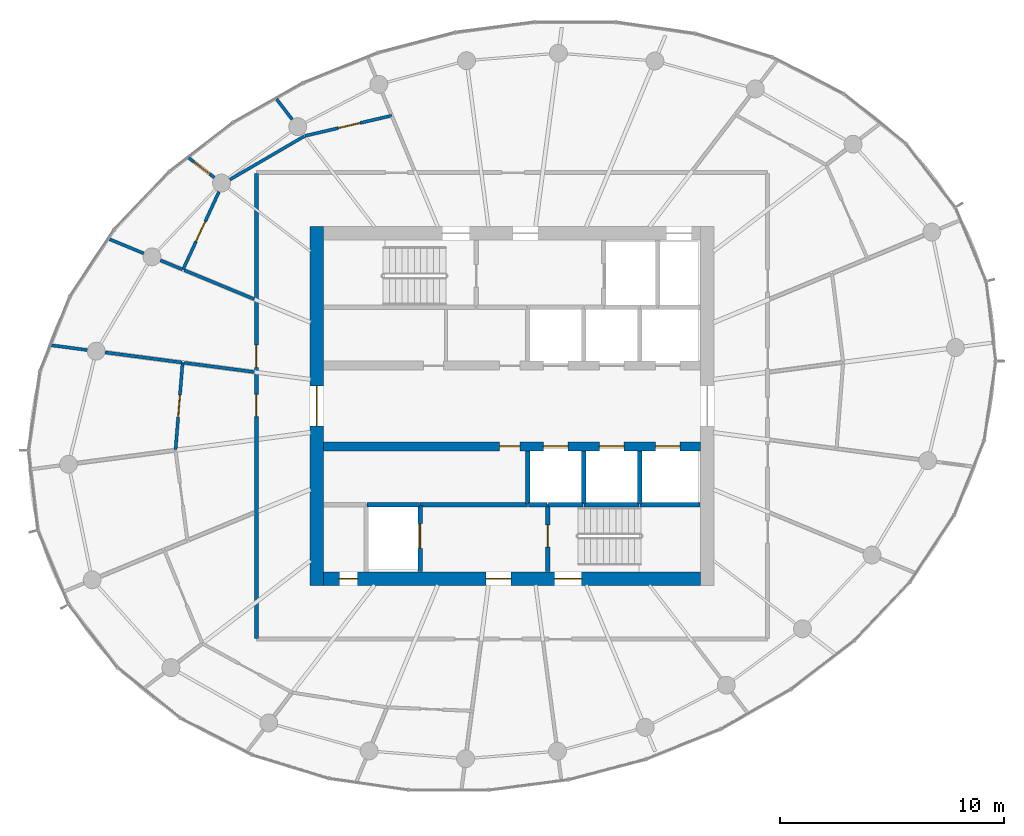
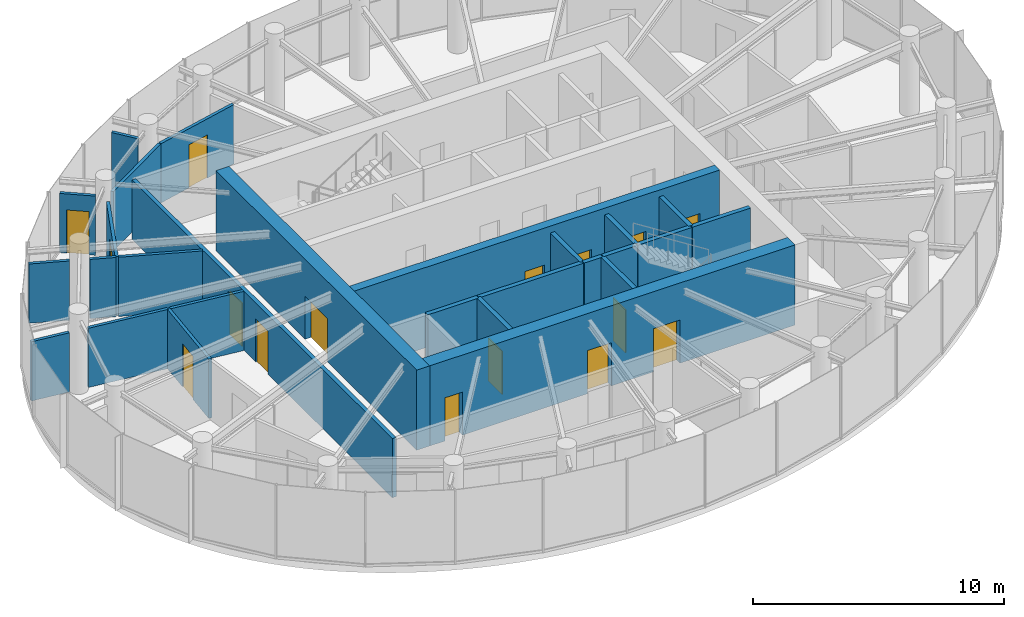
# One storey, part 9 of 13: 27 walls, 16 doors, 16 openings.
"""IFC4 building model written with IfcOpenShell, lengths in metres."""

from ifc_helpers import new_model, si_unit, direction, frame, frame_2d, origin, place, context, subcontext, project, spatial, rectangle, extrude, source, transform, mapped, material, layer, layer_set, type_object, element, fill, save


model = new_model("IFC4")

# Units and contexts
model_context = context("Model", 3, precision=1e-05, world=origin(), true_north=direction((0.0, 1.0)))
body_context = subcontext(model_context, "Body", "Model", "MODEL_VIEW")
ifc_project = project(units=[si_unit("LENGTHUNIT", "METRE"), si_unit("AREAUNIT", "SQUARE_METRE"), si_unit("VOLUMEUNIT", "CUBIC_METRE"), si_unit("PLANEANGLEUNIT", "RADIAN"), si_unit("MASSUNIT", "GRAM", prefix="KILO")], contexts=[model_context])

# Site, building, storey
site_placement = place(None, origin())
site = spatial("IfcSite", under=ifc_project, at=site_placement, CompositionType="ELEMENT")
building_placement = place(site_placement, origin())
building = spatial("IfcBuilding", under=site, at=building_placement, Name="Spindrift Exchange Tower", CompositionType="ELEMENT")
storey_placement = place(building_placement, frame((0.0, 0.0, 257.89990234375)))
storey = spatial("IfcBuildingStorey", under=building, at=storey_placement, Name="L63", CompositionType="ELEMENT", Elevation=257.89990234375)

# Wall, opening, door
ifc_material_1 = material(Name="Concrete 50 MPa", Category="concrete")
ifc_layer_1 = layer(ifc_material_1, 0.60009765625)
ifc_layer_set_1 = layer_set([ifc_layer_1], Name="RC Core Wall 600 Concrete 50 MPa")
wall_type_1 = type_object("IfcWallType", Name="RC Core Wall 600 Concrete 50 MPa", PredefinedType="SHEAR", material=ifc_layer_set_1)
wall_1_placement = place(storey_placement, frame((43.300048828125, 56.0, 0.0), z_axis=(0.0, 0.0, 1.0), x_axis=(0.0, -1.0, 0.0)))
wall_1 = element("IfcWall", 1, at=wall_1_placement, inside=storey, type_object=wall_type_1, Name="Core wall W L63", PredefinedType="SHEAR", context=body_context, shape_type="SweptSolid", body=[
    extrude(rectangle(XDim=16.0, YDim=0.60009765625, at=frame_2d((8.0, 0.0))), origin(), (0.0, 0.0, 1.0), 3.900146484375),
])
opening_1_placement = place(wall_1_placement, frame((7.10009765625, 0.0, 0.0)))
opening_1 = element("IfcOpeningElement", 2, at=opening_1_placement, cuts=wall_1, Name="Opening L63-D1", PredefinedType="OPENING", context=body_context, shape_type="SweptSolid", body=[
    extrude(rectangle(XDim=1.800048828125, YDim=2.10009765625, at=frame_2d((0.89990234375, 1.050048828125))), frame((0.0, 0.31005859375, 0.0), z_axis=(0.0, -1.0, 0.0), x_axis=(1.0, 0.0, 0.0)), (0.0, 0.0, 1.0), 0.6201171875),
])
ifc_material_2 = material(Name="Timber-core fire door", Category="wood")
door_type_1 = type_object("IfcDoorType", Name="DR-LOBBY-1800", OperationType="NOTDEFINED", PredefinedType="DOOR", material=ifc_material_2)
shared_shape_1 = source(origin(), body_context, "Body", "SweptSolid", [
    extrude(rectangle(XDim=1.800048828125, YDim=2.10009765625, at=frame_2d((0.89990234375, 1.050048828125))), frame((0.0, 0.02490234375, 0.0), z_axis=(0.0, -1.0, 0.0), x_axis=(1.0, 0.0, 0.0)), (0.0, 0.0, 1.0), 0.050048828125),
])
door_1_placement = place(opening_1_placement, origin())
door_1 = element("IfcDoor", 3, at=door_1_placement, inside=storey, type_object=door_type_1, Name="L63 Lobby door 1", OperationType="SINGLE_SWING_LEFT", OverallHeight=2.10009765625, OverallWidth=1.800048828125, PredefinedType="DOOR", context=body_context, shape_type="MappedRepresentation", body=[
    mapped(shared_shape_1, transform((0.0, 0.0, 0.0), scale=1.0)),
])
fill(opening_1, door_1)

# Wall, openings, doors
wall_2_placement = place(storey_placement, frame((43.60009765625, 40.300048828125, 0.0), z_axis=(0.0, 0.0, 1.0), x_axis=(1.0, 0.0, 0.0)))
wall_2 = element("IfcWall", 4, at=wall_2_placement, inside=storey, type_object=wall_type_1, Name="Core wall S L63", PredefinedType="SHEAR", context=body_context, shape_type="SweptSolid", body=[
    extrude(rectangle(XDim=16.7998046875, YDim=0.60009765625, at=frame_2d((8.39990234375, 0.0))), origin(), (0.0, 0.0, 1.0), 3.900146484375),
])
opening_2_placement = place(wall_2_placement, frame((10.300048828125, 0.0, 0.0)))
opening_2 = element("IfcOpeningElement", 5, at=opening_2_placement, cuts=wall_2, Name="Opening L63-D15", PredefinedType="OPENING", context=body_context, shape_type="SweptSolid", body=[
    extrude(rectangle(XDim=1.199951171875, YDim=2.10009765625, at=frame_2d((0.60009765625, 1.050048828125))), frame((0.0, 0.31005859375, 0.0), z_axis=(0.0, -1.0, 0.0), x_axis=(1.0, 0.0, 0.0)), (0.0, 0.0, 1.0), 0.6201171875),
])
opening_3_placement = place(wall_2_placement, frame((7.25, 0.0, 0.0)))
opening_3 = element("IfcOpeningElement", 6, at=opening_3_placement, cuts=wall_2, Name="Opening L63-D17", PredefinedType="OPENING", context=body_context, shape_type="SweptSolid", body=[
    extrude(rectangle(XDim=1.10009765625, YDim=2.10009765625, at=frame_2d((0.550048828125, 1.050048828125))), frame((0.0, 0.31005859375, 0.0), z_axis=(0.0, -1.0, 0.0), x_axis=(1.0, 0.0, 0.0)), (0.0, 0.0, 1.0), 0.6201171875),
])
opening_4_placement = place(wall_2_placement, frame((0.699951171875, 0.0, 0.0)))
opening_4 = element("IfcOpeningElement", 7, at=opening_4_placement, cuts=wall_2, Name="Opening L63-D18", PredefinedType="OPENING", context=body_context, shape_type="SweptSolid", body=[
    extrude(rectangle(XDim=0.800048828125, YDim=2.10009765625, at=frame_2d((0.39990234375, 1.050048828125))), frame((0.0, 0.31005859375, 0.0), z_axis=(0.0, -1.0, 0.0), x_axis=(1.0, 0.0, 0.0)), (0.0, 0.0, 1.0), 0.6201171875),
])
ifc_material_3 = material(Name="Steel fire door", Category="steel")
door_type_2 = type_object("IfcDoorType", Name="DR-STAIR-1200", OperationType="NOTDEFINED", PredefinedType="DOOR", material=ifc_material_3)
shared_shape_2 = source(origin(), body_context, "Body", "SweptSolid", [
    extrude(rectangle(XDim=1.199951171875, YDim=2.10009765625, at=frame_2d((0.60009765625, 1.050048828125))), frame((0.0, 0.02490234375, 0.0), z_axis=(0.0, -1.0, 0.0), x_axis=(1.0, 0.0, 0.0)), (0.0, 0.0, 1.0), 0.050048828125),
])
door_2_placement = place(opening_2_placement, origin())
door_2 = element("IfcDoor", 8, at=door_2_placement, inside=storey, type_object=door_type_2, Name="L63 Stair door 15", OperationType="SINGLE_SWING_RIGHT", OverallHeight=2.10009765625, OverallWidth=1.199951171875, PredefinedType="DOOR", context=body_context, shape_type="MappedRepresentation", body=[
    mapped(shared_shape_2, transform((0.0, 0.0, 0.0), scale=1.0)),
])
fill(opening_2, door_2)
door_type_3 = type_object("IfcDoorType", Name="DR-LOBBY-1100", OperationType="NOTDEFINED", PredefinedType="DOOR", material=ifc_material_2)
shared_shape_3 = source(origin(), body_context, "Body", "SweptSolid", [
    extrude(rectangle(XDim=1.10009765625, YDim=2.10009765625, at=frame_2d((0.550048828125, 1.050048828125))), frame((0.0, 0.02490234375, 0.0), z_axis=(0.0, -1.0, 0.0), x_axis=(1.0, 0.0, 0.0)), (0.0, 0.0, 1.0), 0.050048828125),
])
door_3_placement = place(opening_3_placement, origin())
door_3 = element("IfcDoor", 9, at=door_3_placement, inside=storey, type_object=door_type_3, Name="L63 Lobby door 17", OperationType="SINGLE_SWING_RIGHT", OverallHeight=2.10009765625, OverallWidth=1.10009765625, PredefinedType="DOOR", context=body_context, shape_type="MappedRepresentation", body=[
    mapped(shared_shape_3, transform((0.0, 0.0, 0.0), scale=1.0)),
])
fill(opening_3, door_3)
ifc_material_4 = material(Name="Steel access door", Category="steel")
door_type_4 = type_object("IfcDoorType", Name="DR-RISER-800", OperationType="NOTDEFINED", PredefinedType="DOOR", material=ifc_material_4)
shared_shape_4 = source(origin(), body_context, "Body", "SweptSolid", [
    extrude(rectangle(XDim=0.800048828125, YDim=2.10009765625, at=frame_2d((0.39990234375, 1.050048828125))), frame((0.0, 0.02490234375, 0.0), z_axis=(0.0, -1.0, 0.0), x_axis=(1.0, 0.0, 0.0)), (0.0, 0.0, 1.0), 0.050048828125),
])
door_4_placement = place(opening_4_placement, origin())
door_4 = element("IfcDoor", 10, at=door_4_placement, inside=storey, type_object=door_type_4, Name="L63 Riser door 18", OperationType="SINGLE_SWING_LEFT", OverallHeight=2.10009765625, OverallWidth=0.800048828125, PredefinedType="DOOR", context=body_context, shape_type="MappedRepresentation", body=[
    mapped(shared_shape_4, transform((0.0, 0.0, 0.0), scale=1.0)),
])
fill(opening_4, door_4)

ifc_layer_2 = layer(ifc_material_1, 0.39990234375)
ifc_layer_set_2 = layer_set([ifc_layer_2], Name="RC Spine Wall 400 Concrete 50 MPa")
wall_type_2 = type_object("IfcWallType", Name="RC Spine Wall 400 Concrete 50 MPa", PredefinedType="SHEAR", material=ifc_layer_set_2)
wall_3_placement = place(storey_placement, frame((43.60009765625, 46.199951171875, 0.0), z_axis=(0.0, 0.0, 1.0), x_axis=(1.0, 0.0, 0.0)))
wall_3 = element("IfcWall", 11, at=wall_3_placement, inside=storey, type_object=wall_type_2, Name="Core spine wall S L63", PredefinedType="SHEAR", context=body_context, shape_type="SweptSolid", body=[
    extrude(rectangle(XDim=16.7998046875, YDim=0.39990234375, at=frame_2d((8.39990234375, 0.0))), origin(), (0.0, 0.0, 1.0), 3.900146484375),
])
opening_5_placement = place(wall_3_placement, frame((9.800048828125, 0.0, 0.0)))
opening_5 = element("IfcOpeningElement", 12, at=opening_5_placement, cuts=wall_3, Name="Opening L63-D6", PredefinedType="OPENING", context=body_context, shape_type="SweptSolid", body=[
    extrude(rectangle(XDim=1.10009765625, YDim=2.10009765625, at=frame_2d((0.550048828125, 1.050048828125))), frame((0.0, 0.2099609375, 0.0), z_axis=(0.0, -1.0, 0.0), x_axis=(1.0, 0.0, 0.0)), (0.0, 0.0, 1.0), 0.419921875),
])
opening_6_placement = place(wall_3_placement, frame((12.300048828125, 0.0, 0.0)))
opening_6 = element("IfcOpeningElement", 13, at=opening_6_placement, cuts=wall_3, Name="Opening L63-D7", PredefinedType="OPENING", context=body_context, shape_type="SweptSolid", body=[
    extrude(rectangle(XDim=1.10009765625, YDim=2.10009765625, at=frame_2d((0.550048828125, 1.050048828125))), frame((0.0, 0.2099609375, 0.0), z_axis=(0.0, -1.0, 0.0), x_axis=(1.0, 0.0, 0.0)), (0.0, 0.0, 1.0), 0.419921875),
])
opening_7_placement = place(wall_3_placement, frame((14.800048828125, 0.0, 0.0)))
opening_7 = element("IfcOpeningElement", 14, at=opening_7_placement, cuts=wall_3, Name="Opening L63-D8", PredefinedType="OPENING", context=body_context, shape_type="SweptSolid", body=[
    extrude(rectangle(XDim=1.10009765625, YDim=2.10009765625, at=frame_2d((0.550048828125, 1.050048828125))), frame((0.0, 0.2099609375, 0.0), z_axis=(0.0, -1.0, 0.0), x_axis=(1.0, 0.0, 0.0)), (0.0, 0.0, 1.0), 0.419921875),
])
opening_8_placement = place(wall_3_placement, frame((7.85009765625, 0.0, 0.0)))
opening_8 = element("IfcOpeningElement", 15, at=opening_8_placement, cuts=wall_3, Name="Opening L63-D45", PredefinedType="OPENING", context=body_context, shape_type="SweptSolid", body=[
    extrude(rectangle(XDim=0.89990234375, YDim=2.10009765625, at=frame_2d((0.449951171875, 1.050048828125))), frame((0.0, 0.2099609375, 0.0), z_axis=(0.0, -1.0, 0.0), x_axis=(1.0, 0.0, 0.0)), (0.0, 0.0, 1.0), 0.419921875),
])
ifc_material_5 = material(Name="Stainless steel landing door", Category="steel")
door_type_5 = type_object("IfcDoorType", Name="DR-LANDING-1100-SL", OperationType="DOUBLE_DOOR_SLIDING", PredefinedType="USERDEFINED", material=ifc_material_5)
shared_shape_5 = source(origin(), body_context, "Body", "SweptSolid", [
    extrude(rectangle(XDim=1.10009765625, YDim=2.10009765625, at=frame_2d((0.550048828125, 1.050048828125))), frame((0.0, 0.02490234375, 0.0), z_axis=(0.0, -1.0, 0.0), x_axis=(1.0, 0.0, 0.0)), (0.0, 0.0, 1.0), 0.050048828125),
])
door_5_placement = place(opening_5_placement, origin())
door_5 = element("IfcDoor", 16, at=door_5_placement, inside=storey, type_object=door_type_5, Name="L63 Lift landing door 6", ObjectType="LANDING DOOR", OperationType="DOUBLE_DOOR_SLIDING", OverallHeight=2.10009765625, OverallWidth=1.10009765625, PredefinedType="USERDEFINED", context=body_context, shape_type="MappedRepresentation", body=[
    mapped(shared_shape_5, transform((0.0, 0.0, 0.0), scale=1.0)),
])
fill(opening_5, door_5)
door_6_placement = place(opening_6_placement, origin())
door_6 = element("IfcDoor", 17, at=door_6_placement, inside=storey, type_object=door_type_5, Name="L63 Lift landing door 7", ObjectType="LANDING DOOR", OperationType="DOUBLE_DOOR_SLIDING", OverallHeight=2.10009765625, OverallWidth=1.10009765625, PredefinedType="USERDEFINED", context=body_context, shape_type="MappedRepresentation", body=[
    mapped(shared_shape_5, transform((0.0, 0.0, 0.0), scale=1.0)),
])
fill(opening_6, door_6)
door_7_placement = place(opening_7_placement, origin())
door_7 = element("IfcDoor", 18, at=door_7_placement, inside=storey, type_object=door_type_5, Name="L63 Lift landing door 8", ObjectType="LANDING DOOR", OperationType="DOUBLE_DOOR_SLIDING", OverallHeight=2.10009765625, OverallWidth=1.10009765625, PredefinedType="USERDEFINED", context=body_context, shape_type="MappedRepresentation", body=[
    mapped(shared_shape_5, transform((0.0, 0.0, 0.0), scale=1.0)),
])
fill(opening_7, door_7)
door_type_6 = type_object("IfcDoorType", Name="DR-RISER-900", OperationType="NOTDEFINED", PredefinedType="DOOR", material=ifc_material_4)
shared_shape_6 = source(origin(), body_context, "Body", "SweptSolid", [
    extrude(rectangle(XDim=0.89990234375, YDim=2.10009765625, at=frame_2d((0.449951171875, 1.050048828125))), frame((0.0, 0.02490234375, 0.0), z_axis=(0.0, -1.0, 0.0), x_axis=(1.0, 0.0, 0.0)), (0.0, 0.0, 1.0), 0.050048828125),
])
door_8_placement = place(opening_8_placement, origin())
door_8 = element("IfcDoor", 19, at=door_8_placement, inside=storey, type_object=door_type_6, Name="L63 Riser door 45", OperationType="SINGLE_SWING_RIGHT", OverallHeight=2.10009765625, OverallWidth=0.89990234375, PredefinedType="DOOR", context=body_context, shape_type="MappedRepresentation", body=[
    mapped(shared_shape_6, transform((0.0, 0.0, 0.0), scale=1.0)),
])
fill(opening_8, door_8)

ifc_material_6 = material(Name="Fire-rated plasterboard partition", Category="gypsum")
ifc_layer_3 = layer(ifc_material_6, 0.179931640625)
ifc_layer_set_3 = layer_set([ifc_layer_3], Name="W-CORR-180")
wall_type_3 = type_object("IfcWallType", Name="W-CORR-180", PredefinedType="PARTITIONING", material=ifc_layer_set_3)
wall_4_placement = place(storey_placement, frame((40.60009765625, 37.6298828125, 0.0), z_axis=(0.0, 0.0, 1.0), x_axis=(0.0, 1.0, 0.0)))
wall_4 = element("IfcWall", 20, at=wall_4_placement, inside=storey, type_object=wall_type_3, Name="L63 Partition wall 30", PredefinedType="PARTITIONING", context=body_context, shape_type="SweptSolid", body=[
    extrude(rectangle(XDim=20.740234375, YDim=0.179931640625, at=frame_2d((10.3701171875, 0.0))), origin(), (0.0, 0.0, 1.0), 2.880126953125),
])
opening_9_placement = place(wall_4_placement, frame((12.090087890625, 0.0, 0.0)))
opening_9 = element("IfcOpeningElement", 21, at=opening_9_placement, cuts=wall_4, Name="Opening L63-D30", PredefinedType="OPENING", context=body_context, shape_type="SweptSolid", body=[
    extrude(rectangle(XDim=1.0, YDim=2.10009765625, at=frame_2d((0.5, 1.050048828125))), frame((0.0, 0.099853515625, 0.0), z_axis=(0.0, -1.0, 0.0), x_axis=(1.0, 0.0, 0.0)), (0.0, 0.0, 1.0), 0.199951171875),
])
opening_10_placement = place(wall_4_placement, frame((9.889892578125, 0.0, 0.0)))
opening_10 = element("IfcOpeningElement", 22, at=opening_10_placement, cuts=wall_4, Name="Opening L63-D31", PredefinedType="OPENING", context=body_context, shape_type="SweptSolid", body=[
    extrude(rectangle(XDim=1.0, YDim=2.10009765625, at=frame_2d((0.5, 1.050048828125))), frame((0.0, 0.099853515625, 0.0), z_axis=(0.0, -1.0, 0.0), x_axis=(1.0, 0.0, 0.0)), (0.0, 0.0, 1.0), 0.199951171875),
])
door_type_7 = type_object("IfcDoorType", Name="DR-ROOM-1000", OperationType="NOTDEFINED", PredefinedType="DOOR", material=ifc_material_2)
shared_shape_7 = source(origin(), body_context, "Body", "SweptSolid", [
    extrude(rectangle(XDim=1.0, YDim=2.10009765625, at=frame_2d((0.5, 1.050048828125))), frame((0.0, 0.02490234375, 0.0), z_axis=(0.0, -1.0, 0.0), x_axis=(1.0, 0.0, 0.0)), (0.0, 0.0, 1.0), 0.050048828125),
])
door_9_placement = place(opening_9_placement, origin())
door_9 = element("IfcDoor", 23, at=door_9_placement, inside=storey, type_object=door_type_7, Name="L63 Door 30", OperationType="SINGLE_SWING_LEFT", OverallHeight=2.10009765625, OverallWidth=1.0, PredefinedType="DOOR", context=body_context, shape_type="MappedRepresentation", body=[
    mapped(shared_shape_7, transform((0.0, 0.0, 0.0), scale=1.0)),
])
fill(opening_9, door_9)
door_10_placement = place(opening_10_placement, origin())
door_10 = element("IfcDoor", 24, at=door_10_placement, inside=storey, type_object=door_type_7, Name="L63 Door 31", OperationType="SINGLE_SWING_RIGHT", OverallHeight=2.10009765625, OverallWidth=1.0, PredefinedType="DOOR", context=body_context, shape_type="MappedRepresentation", body=[
    mapped(shared_shape_7, transform((0.0, 0.0, 0.0), scale=1.0)),
])
fill(opening_10, door_10)

# Wall, opening, door
ifc_layer_4 = layer(ifc_material_6, 0.139892578125)
ifc_layer_set_4 = layer_set([ifc_layer_4], Name="W-PART-140")
wall_type_4 = type_object("IfcWallType", Name="W-PART-140", PredefinedType="PARTITIONING", material=ifc_layer_set_4)
wall_5_placement = place(storey_placement, frame((42.760986328125, 60.040283203125, 0.0), z_axis=(0.0, 0.0, 1.0), x_axis=(0.973788258545, 0.227456429935, 0.0)))
wall_5 = element("IfcWall", 25, at=wall_5_placement, inside=storey, type_object=wall_type_4, Name="L63 Partition wall 41", PredefinedType="PARTITIONING", context=body_context, shape_type="SweptSolid", body=[
    extrude(rectangle(XDim=3.98095703125, YDim=0.139892578125, at=frame_2d((1.990478515625, 0.0))), origin(), (0.0, 0.0, 1.0), 2.880126953125),
])
opening_11_placement = place(wall_5_placement, frame((1.531005859375, 0.0, 0.0)))
opening_11 = element("IfcOpeningElement", 26, at=opening_11_placement, cuts=wall_5, Name="Opening L63-D27", PredefinedType="OPENING", context=body_context, shape_type="SweptSolid", body=[
    extrude(rectangle(XDim=1.0, YDim=2.10009765625, at=frame_2d((0.5, 1.050048828125))), frame((0.0, 0.079833984375, 0.0), z_axis=(0.0, -1.0, 0.0), x_axis=(1.0, 0.0, 0.0)), (0.0, 0.0, 1.0), 0.159912109375),
])
door_11_placement = place(opening_11_placement, origin())
door_11 = element("IfcDoor", 27, at=door_11_placement, inside=storey, type_object=door_type_7, Name="L63 Door 27", OperationType="SINGLE_SWING_RIGHT", OverallHeight=2.10009765625, OverallWidth=1.0, PredefinedType="DOOR", context=body_context, shape_type="MappedRepresentation", body=[
    mapped(shared_shape_7, transform((0.0, 0.0, 0.0), scale=1.0)),
])
fill(opening_11, door_11)

wall_6_placement = place(storey_placement, frame((36.998291015625, 46.054443359375, 0.0), z_axis=(0.0, 0.0, 1.0), x_axis=(0.080480689969, 0.996756168048, 0.0)))
wall_6 = element("IfcWall", 28, at=wall_6_placement, inside=storey, type_object=wall_type_4, Name="L63 Partition wall 42", PredefinedType="PARTITIONING", context=body_context, shape_type="SweptSolid", body=[
    extrude(rectangle(XDim=3.89208984375, YDim=0.139892578125, at=frame_2d((1.946044921875, 0.0))), origin(), (0.0, 0.0, 1.0), 2.880126953125),
])
opening_12_placement = place(wall_6_placement, frame((1.44189453125, 0.0, 0.0)))
opening_12 = element("IfcOpeningElement", 29, at=opening_12_placement, cuts=wall_6, Name="Opening L63-D32", PredefinedType="OPENING", context=body_context, shape_type="SweptSolid", body=[
    extrude(rectangle(XDim=1.0, YDim=2.10009765625, at=frame_2d((0.5, 1.050048828125))), frame((0.0, 0.079833984375, 0.0), z_axis=(0.0, -1.0, 0.0), x_axis=(1.0, 0.0, 0.0)), (0.0, 0.0, 1.0), 0.159912109375),
])
door_12_placement = place(opening_12_placement, origin())
door_12 = element("IfcDoor", 30, at=door_12_placement, inside=storey, type_object=door_type_7, Name="L63 Door 32", OperationType="SINGLE_SWING_LEFT", OverallHeight=2.10009765625, OverallWidth=1.0, PredefinedType="DOOR", context=body_context, shape_type="MappedRepresentation", body=[
    mapped(shared_shape_7, transform((0.0, 0.0, 0.0), scale=1.0)),
])
fill(opening_12, door_12)

# Wall
wall_7_placement = place(storey_placement, frame((42.735107421875, 60.025390625, 0.0), z_axis=(0.0, 0.0, 1.0), x_axis=(-0.863735038192, -0.503946211216, 0.0)))
element("IfcWall", 31, at=wall_7_placement, inside=storey, type_object=wall_type_4, Name="L63 Partition wall 43", PredefinedType="PARTITIONING", context=body_context, shape_type="SweptSolid", body=[
    extrude(rectangle(XDim=3.8359375, YDim=0.139892578125, at=frame_2d((1.91796875, 0.0))), origin(), (0.0, 0.0, 1.0), 2.880126953125),
])

# Wall, opening, door
wall_8_placement = place(storey_placement, frame((37.32861328125, 54.076904296875, 0.0), z_axis=(0.0, 0.0, 1.0), x_axis=(0.41938588657, 0.907808062393, 0.0)))
wall_8 = element("IfcWall", 32, at=wall_8_placement, inside=storey, type_object=wall_type_4, Name="L63 Partition wall 45", PredefinedType="PARTITIONING", context=body_context, shape_type="SweptSolid", body=[
    extrude(rectangle(XDim=3.826416015625, YDim=0.139892578125, at=frame_2d((1.9130859375, 0.0))), origin(), (0.0, 0.0, 1.0), 2.880126953125),
])
opening_13_placement = place(wall_8_placement, frame((1.376220703125, 0.0, 0.0)))
opening_13 = element("IfcOpeningElement", 33, at=opening_13_placement, cuts=wall_8, Name="Opening L63-D29", PredefinedType="OPENING", context=body_context, shape_type="SweptSolid", body=[
    extrude(rectangle(XDim=1.0, YDim=2.10009765625, at=frame_2d((0.5, 1.050048828125))), frame((0.0, 0.079833984375, 0.0), z_axis=(0.0, -1.0, 0.0), x_axis=(1.0, 0.0, 0.0)), (0.0, 0.0, 1.0), 0.159912109375),
])
door_13_placement = place(opening_13_placement, origin())
door_13 = element("IfcDoor", 34, at=door_13_placement, inside=storey, type_object=door_type_7, Name="L63 Door 29", OperationType="SINGLE_SWING_RIGHT", OverallHeight=2.10009765625, OverallWidth=1.0, PredefinedType="DOOR", context=body_context, shape_type="MappedRepresentation", body=[
    mapped(shared_shape_7, transform((0.0, 0.0, 0.0), scale=1.0)),
])
fill(opening_13, door_13)

# Walls
wall_9_placement = place(storey_placement, frame((40.510009765625, 52.75927734375, 0.0), z_axis=(0.0, 0.0, 1.0), x_axis=(-0.923865103175, 0.382718266008, 0.0)))
element("IfcWall", 35, at=wall_9_placement, inside=storey, type_object=wall_type_4, Name="L63 Partition wall 48", PredefinedType="PARTITIONING", context=body_context, shape_type="SweptSolid", body=[
    extrude(rectangle(XDim=3.373291015625, YDim=0.139892578125, at=frame_2d((1.6865234375, 0.0))), origin(), (0.0, 0.0, 1.0), 2.880126953125),
])
wall_10_placement = place(storey_placement, frame((37.28173828125, 49.937744140625, 0.0), z_axis=(0.0, 0.0, 1.0), x_axis=(-0.991450200573, 0.130485630566, 0.0)))
element("IfcWall", 36, at=wall_10_placement, inside=storey, type_object=wall_type_4, Name="L63 Partition wall 49", PredefinedType="PARTITIONING", context=body_context, shape_type="SweptSolid", body=[
    extrude(rectangle(XDim=3.4501953125, YDim=0.139892578125, at=frame_2d((1.72509765625, 0.0))), origin(), (0.0, 0.0, 1.0), 2.880126953125),
])
wall_11_placement = place(storey_placement, frame((40.510009765625, 49.5126953125, 0.0), z_axis=(0.0, 0.0, 1.0), x_axis=(-0.991447448148, 0.130506542215, 0.0)))
element("IfcWall", 37, at=wall_11_placement, inside=storey, type_object=wall_type_4, Name="L63 Partition wall 51", PredefinedType="PARTITIONING", context=body_context, shape_type="SweptSolid", body=[
    extrude(rectangle(XDim=3.156005859375, YDim=0.139892578125, at=frame_2d((1.578125, 0.0))), origin(), (0.0, 0.0, 1.0), 2.880126953125),
])
wall_12_placement = place(storey_placement, frame((35.57421875, 54.8037109375, 0.0), z_axis=(0.0, 0.0, 1.0), x_axis=(-0.923884509339, 0.38267141702, 0.0)))
element("IfcWall", 38, at=wall_12_placement, inside=storey, type_object=wall_type_4, Name="L63 Partition wall 64", PredefinedType="PARTITIONING", context=body_context, shape_type="SweptSolid", body=[
    extrude(rectangle(XDim=1.6416015625, YDim=0.139892578125, at=frame_2d((0.82080078125, 0.0))), origin(), (0.0, 0.0, 1.0), 2.880126953125),
])
wall_13_placement = place(storey_placement, frame((33.058837890625, 50.49365234375, 0.0), z_axis=(0.0, 0.0, 1.0), x_axis=(-0.991450239083, 0.130485337956, 0.0)))
element("IfcWall", 39, at=wall_13_placement, inside=storey, type_object=wall_type_4, Name="L63 Partition wall 66", PredefinedType="PARTITIONING", context=body_context, shape_type="SweptSolid", body=[
    extrude(rectangle(XDim=1.638916015625, YDim=0.139892578125, at=frame_2d((0.8193359375, 0.0))), origin(), (0.0, 0.0, 1.0), 2.880126953125),
])

# Wall, opening, door
wall_14_placement = place(storey_placement, frame((37.591064453125, 59.056396484375, 0.0), z_axis=(0.0, 0.0, 1.0), x_axis=(0.793378326769, -0.608728864613, 0.0)))
wall_14 = element("IfcWall", 40, at=wall_14_placement, inside=storey, type_object=wall_type_4, Name="L63 Partition wall 68", PredefinedType="PARTITIONING", context=body_context, shape_type="SweptSolid", body=[
    extrude(rectangle(XDim=1.4306640625, YDim=0.139892578125, at=frame_2d((0.71533203125, 0.0))), origin(), (0.0, 0.0, 1.0), 2.880126953125),
])
opening_14_placement = place(wall_14_placement, frame((0.280517578125, 0.0, 0.0)))
opening_14 = element("IfcOpeningElement", 41, at=opening_14_placement, cuts=wall_14, Name="Opening L63-D28", PredefinedType="OPENING", context=body_context, shape_type="SweptSolid", body=[
    extrude(rectangle(XDim=0.89990234375, YDim=2.10009765625, at=frame_2d((0.449951171875, 1.050048828125))), frame((0.0, 0.079833984375, 0.0), z_axis=(0.0, -1.0, 0.0), x_axis=(1.0, 0.0, 0.0)), (0.0, 0.0, 1.0), 0.159912109375),
])
door_type_8 = type_object("IfcDoorType", Name="DR-ROOM-900", OperationType="NOTDEFINED", PredefinedType="DOOR", material=ifc_material_2)
shared_shape_8 = source(origin(), body_context, "Body", "SweptSolid", [
    extrude(rectangle(XDim=0.89990234375, YDim=2.10009765625, at=frame_2d((0.449951171875, 1.050048828125))), frame((0.0, 0.02490234375, 0.0), z_axis=(0.0, -1.0, 0.0), x_axis=(1.0, 0.0, 0.0)), (0.0, 0.0, 1.0), 0.050048828125),
])
door_14_placement = place(opening_14_placement, origin())
door_14 = element("IfcDoor", 42, at=door_14_placement, inside=storey, type_object=door_type_8, Name="L63 Door 28", OperationType="SINGLE_SWING_LEFT", OverallHeight=2.10009765625, OverallWidth=0.89990234375, PredefinedType="DOOR", context=body_context, shape_type="MappedRepresentation", body=[
    mapped(shared_shape_8, transform((0.0, 0.0, 0.0), scale=1.0)),
])
fill(opening_14, door_14)

# Walls
wall_15_placement = place(storey_placement, frame((42.197998046875, 60.774169921875, 0.0), z_axis=(0.0, 0.0, 1.0), x_axis=(-0.608781268648, 0.793338116406, 0.0)))
element("IfcWall", 43, at=wall_15_placement, inside=storey, type_object=wall_type_4, Name="L63 Partition wall 73", PredefinedType="PARTITIONING", context=body_context, shape_type="SweptSolid", body=[
    extrude(rectangle(XDim=1.142822265625, YDim=0.139892578125, at=frame_2d((0.5712890625, 0.0))), origin(), (0.0, 0.0, 1.0), 2.880126953125),
])
wall_16_placement = place(storey_placement, frame((37.301025390625, 54.08837890625, 0.0), z_axis=(0.0, 0.0, 1.0), x_axis=(-0.923777919461, 0.382928655908, 0.0)))
element("IfcWall", 44, at=wall_16_placement, inside=storey, type_object=wall_type_4, Name="L63 Partition wall 81", PredefinedType="PARTITIONING", context=body_context, shape_type="SweptSolid", body=[
    extrude(rectangle(XDim=1.05908203125, YDim=0.139892578125, at=frame_2d((0.529541015625, 0.0))), origin(), (0.0, 0.0, 1.0), 2.880126953125),
])
ifc_material_7 = material(Name="Concrete 40 MPa", Category="concrete")
ifc_layer_5 = layer(ifc_material_7, 0.199951171875)
ifc_layer_set_5 = layer_set([ifc_layer_5], Name="W-SHAFT-200")
wall_type_5 = type_object("IfcWallType", Name="W-SHAFT-200", PredefinedType="SOLIDWALL", material=ifc_layer_set_5)
wall_17_placement = place(storey_placement, frame((52.699951171875, 43.60009765625, 0.0), z_axis=(0.0, 0.0, 1.0), x_axis=(-1.0, 0.0, 0.0)))
element("IfcWall", 45, at=wall_17_placement, inside=storey, type_object=wall_type_5, Name="L63 Shaft wall 2", PredefinedType="SOLIDWALL", context=body_context, shape_type="SweptSolid", body=[
    extrude(rectangle(XDim=4.800048828125, YDim=0.199951171875, at=frame_2d((2.39990234375, 0.0))), origin(), (0.0, 0.0, 1.0), 3.580078125),
])

# Wall, opening, door
wall_18_placement = place(storey_placement, frame((47.89990234375, 40.6201171875, 0.0), z_axis=(0.0, 0.0, 1.0), x_axis=(0.0, 1.0, 0.0)))
wall_18 = element("IfcWall", 46, at=wall_18_placement, inside=storey, type_object=wall_type_5, Name="L63 Shaft wall 4", PredefinedType="SOLIDWALL", context=body_context, shape_type="SweptSolid", body=[
    extrude(rectangle(XDim=2.949951171875, YDim=0.199951171875, at=frame_2d((1.47509765625, 0.0))), origin(), (0.0, 0.0, 1.0), 3.580078125),
])
opening_15_placement = place(wall_18_placement, frame((1.030029296875, 0.0, 0.0)))
opening_15 = element("IfcOpeningElement", 47, at=opening_15_placement, cuts=wall_18, Name="Opening L63-D10", PredefinedType="OPENING", context=body_context, shape_type="SweptSolid", body=[
    extrude(rectangle(XDim=1.10009765625, YDim=2.10009765625, at=frame_2d((0.550048828125, 1.050048828125))), frame((0.0, 0.10986328125, 0.0), z_axis=(0.0, -1.0, 0.0), x_axis=(1.0, 0.0, 0.0)), (0.0, 0.0, 1.0), 0.219970703125),
])
door_15_placement = place(opening_15_placement, origin())
door_15 = element("IfcDoor", 48, at=door_15_placement, inside=storey, type_object=door_type_5, Name="L63 Lift landing door 10", ObjectType="LANDING DOOR", OperationType="DOUBLE_DOOR_SLIDING", OverallHeight=2.10009765625, OverallWidth=1.10009765625, PredefinedType="USERDEFINED", context=body_context, shape_type="MappedRepresentation", body=[
    mapped(shared_shape_5, transform((0.0, 0.0, 0.0), scale=1.0)),
])
fill(opening_15, door_15)

# Walls
wall_19_placement = place(storey_placement, frame((47.8701171875, 43.60009765625, 0.0), z_axis=(0.0, 0.0, 1.0), x_axis=(-1.0, 0.0, 0.0)))
element("IfcWall", 49, at=wall_19_placement, inside=storey, type_object=wall_type_5, Name="L63 Shaft wall 12", PredefinedType="SOLIDWALL", context=body_context, shape_type="SweptSolid", body=[
    extrude(rectangle(XDim=2.340087890625, YDim=0.199951171875, at=frame_2d((1.169921875, 0.0))), origin(), (0.0, 0.0, 1.0), 3.580078125),
])
wall_20_placement = place(storey_placement, frame((52.699951171875, 45.989990234375, 0.0), z_axis=(0.0, 0.0, 1.0), x_axis=(0.0, -1.0, 0.0)))
element("IfcWall", 50, at=wall_20_placement, inside=storey, type_object=wall_type_5, Name="L63 Shaft wall 13", PredefinedType="SOLIDWALL", context=body_context, shape_type="SweptSolid", body=[
    extrude(rectangle(XDim=2.360107421875, YDim=0.199951171875, at=frame_2d((1.18017578125, 0.0))), origin(), (0.0, 0.0, 1.0), 3.580078125),
])

# Wall, opening, door
ifc_layer_6 = layer(ifc_material_7, 0.199951171875)
ifc_layer_set_6 = layer_set([ifc_layer_6], Name="W-SHAFT-200-LB")
wall_type_6 = type_object("IfcWallType", Name="W-SHAFT-200-LB", PredefinedType="SOLIDWALL", material=ifc_layer_set_6)
wall_21_placement = place(storey_placement, frame((53.60009765625, 43.60009765625, 0.0), z_axis=(0.0, 0.0, 1.0), x_axis=(0.0, -1.0, 0.0)))
wall_21 = element("IfcWall", 51, at=wall_21_placement, inside=storey, type_object=wall_type_6, Name="L63 Shaft wall 6", PredefinedType="SOLIDWALL", context=body_context, shape_type="SweptSolid", body=[
    extrude(rectangle(XDim=2.97998046875, YDim=0.199951171875, at=frame_2d((1.489990234375, 0.0))), origin(), (0.0, 0.0, 1.0), 3.580078125),
])
opening_16_placement = place(wall_21_placement, frame((0.89990234375, 0.0, 0.0)))
opening_16 = element("IfcOpeningElement", 52, at=opening_16_placement, cuts=wall_21, Name="Opening L63-D16", PredefinedType="OPENING", context=body_context, shape_type="SweptSolid", body=[
    extrude(rectangle(XDim=1.0, YDim=2.10009765625, at=frame_2d((0.5, 1.050048828125))), frame((0.0, 0.10986328125, 0.0), z_axis=(0.0, -1.0, 0.0), x_axis=(1.0, 0.0, 0.0)), (0.0, 0.0, 1.0), 0.219970703125),
])
door_type_9 = type_object("IfcDoorType", Name="DR-STAIR-1000", OperationType="NOTDEFINED", PredefinedType="DOOR", material=ifc_material_3)
shared_shape_9 = source(origin(), body_context, "Body", "SweptSolid", [
    extrude(rectangle(XDim=1.0, YDim=2.10009765625, at=frame_2d((0.5, 1.050048828125))), frame((0.0, 0.02490234375, 0.0), z_axis=(0.0, -1.0, 0.0), x_axis=(1.0, 0.0, 0.0)), (0.0, 0.0, 1.0), 0.050048828125),
])
door_16_placement = place(opening_16_placement, origin())
door_16 = element("IfcDoor", 53, at=door_16_placement, inside=storey, type_object=door_type_9, Name="L63 Stair door 16", OperationType="SINGLE_SWING_LEFT", OverallHeight=2.10009765625, OverallWidth=1.0, PredefinedType="DOOR", context=body_context, shape_type="MappedRepresentation", body=[
    mapped(shared_shape_9, transform((0.0, 0.0, 0.0), scale=1.0)),
])
fill(opening_16, door_16)

# Walls
wall_22_placement = place(storey_placement, frame((57.699951171875, 43.60009765625, 0.0), z_axis=(0.0, 0.0, 1.0), x_axis=(1.0, 0.0, 0.0)))
element("IfcWall", 54, at=wall_22_placement, inside=storey, type_object=wall_type_6, Name="L63 Shaft wall 9", PredefinedType="SOLIDWALL", context=body_context, shape_type="SweptSolid", body=[
    extrude(rectangle(XDim=2.679931640625, YDim=0.199951171875, at=frame_2d((1.33984375, 0.0))), origin(), (0.0, 0.0, 1.0), 3.580078125),
])
wall_23_placement = place(storey_placement, frame((55.199951171875, 43.60009765625, 0.0), z_axis=(0.0, 0.0, 1.0), x_axis=(1.0, 0.0, 0.0)))
element("IfcWall", 55, at=wall_23_placement, inside=storey, type_object=wall_type_6, Name="L63 Shaft wall 11", PredefinedType="SOLIDWALL", context=body_context, shape_type="SweptSolid", body=[
    extrude(rectangle(XDim=2.469970703125, YDim=0.199951171875, at=frame_2d((1.23486328125, 0.0))), origin(), (0.0, 0.0, 1.0), 3.580078125),
])
for number, where, z_axis, x_axis, name in (
    (56, (55.199951171875, 43.6298828125, 0.0), (0.0, 0.0, 1.0), (0.0, 1.0, 0.0), "L63 Shaft wall 15"),
    (57, (57.699951171875, 43.6298828125, 0.0), (0.0, 0.0, 1.0), (0.0, 1.0, 0.0), "L63 Shaft wall 17"),
):
    element("IfcWall", number, at=place(storey_placement, frame(where, z_axis=z_axis, x_axis=x_axis)), inside=storey, type_object=wall_type_6, Name=name, PredefinedType="SOLIDWALL", context=body_context, shape_type="SweptSolid", body=[
        extrude(rectangle(XDim=2.360107421875, YDim=0.199951171875, at=frame_2d((1.18017578125, 0.0))), origin(), (0.0, 0.0, 1.0), 3.580078125),
    ])
wall_24_placement = place(storey_placement, frame((53.6298828125, 43.60009765625, 0.0), z_axis=(0.0, 0.0, 1.0), x_axis=(1.0, 0.0, 0.0)))
element("IfcWall", 58, at=wall_24_placement, inside=storey, type_object=wall_type_6, Name="L63 Shaft wall 22", PredefinedType="SOLIDWALL", context=body_context, shape_type="SweptSolid", body=[
    extrude(rectangle(XDim=1.5400390625, YDim=0.199951171875, at=frame_2d((0.77001953125, 0.0))), origin(), (0.0, 0.0, 1.0), 3.580078125),
])
wall_25_placement = place(storey_placement, frame((52.72998046875, 43.60009765625, 0.0), z_axis=(0.0, 0.0, 1.0), x_axis=(1.0, 0.0, 0.0)))
element("IfcWall", 59, at=wall_25_placement, inside=storey, type_object=wall_type_6, Name="L63 Shaft wall 24", PredefinedType="SOLIDWALL", context=body_context, shape_type="SweptSolid", body=[
    extrude(rectangle(XDim=0.840087890625, YDim=0.199951171875, at=frame_2d((0.419921875, 0.0))), origin(), (0.0, 0.0, 1.0), 3.580078125),
])

save(model, "model.ifc")
